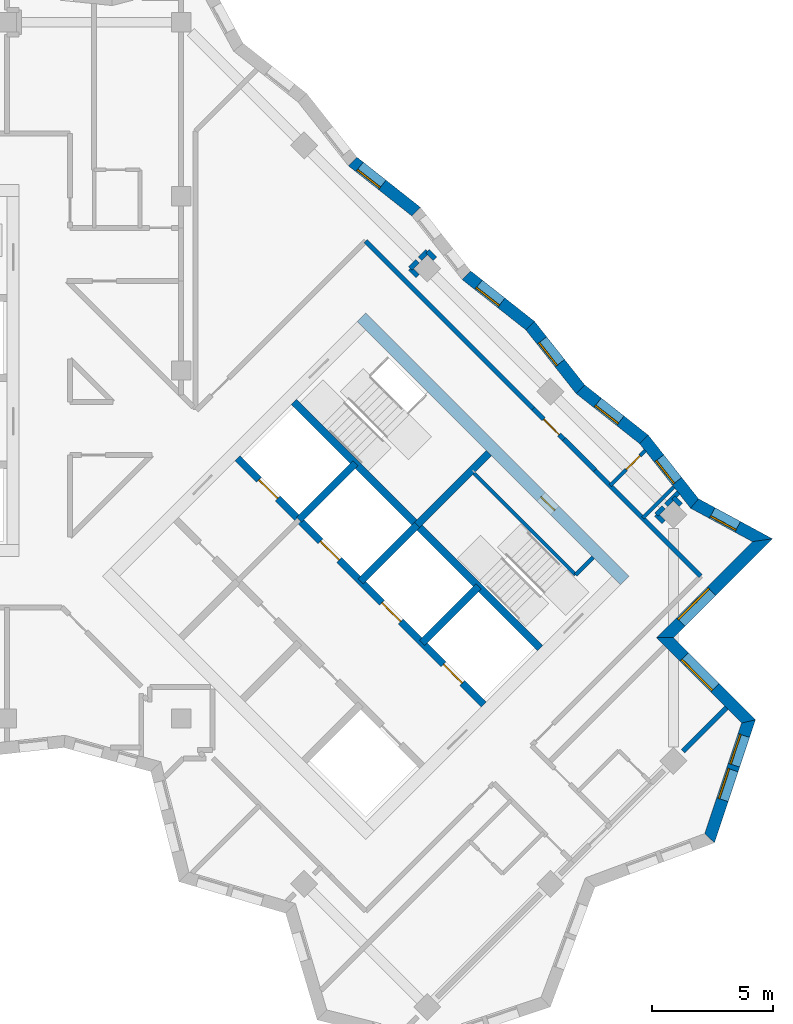
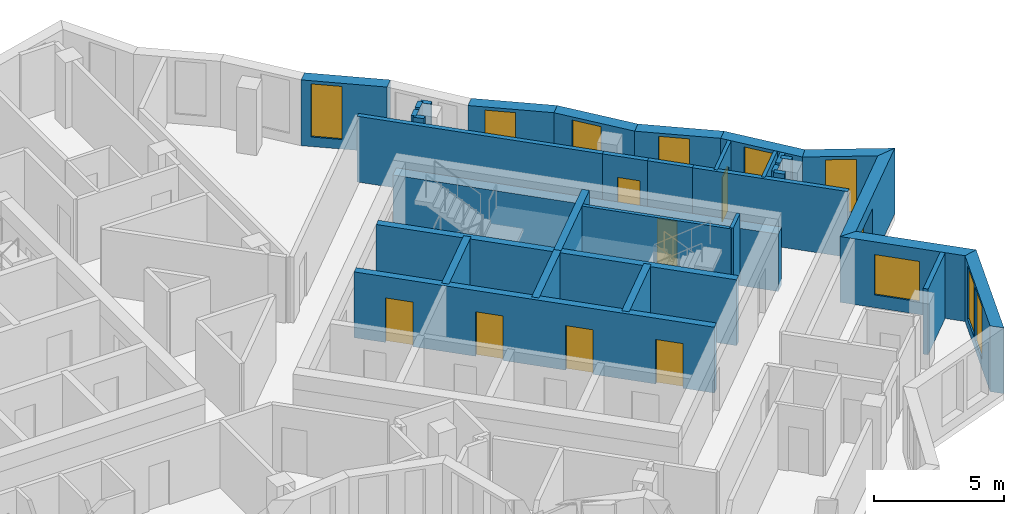
# One storey, part 9 of 12: 34 walls, 10 windows, 7 doors, 17 openings.
"""IFC4 building model written with IfcOpenShell, lengths in metres."""

from ifc_helpers import new_model, si_unit, direction, frame, frame_2d, origin, place, context, subcontext, project, spatial, polyline, rectangle, outline, extrude, material, layer, layer_set, type_object, element, fill, save


model = new_model("IFC4")

# Units and contexts
model_context = context("Model", 3, precision=1e-05, world=origin(), true_north=direction((0.0, 1.0)))
body_context = subcontext(model_context, "Body", "Model", "MODEL_VIEW")
ifc_project = project(units=[si_unit("LENGTHUNIT", "METRE"), si_unit("AREAUNIT", "SQUARE_METRE"), si_unit("VOLUMEUNIT", "CUBIC_METRE"), si_unit("PLANEANGLEUNIT", "RADIAN"), si_unit("MASSUNIT", "GRAM", prefix="KILO")], contexts=[model_context])

# Site, building, storey
site_placement = place(None, origin())
site = spatial("IfcSite", under=ifc_project, at=site_placement, CompositionType="ELEMENT")
building_placement = place(site_placement, origin())
building = spatial("IfcBuilding", under=site, at=building_placement, Name="Windrow Commons", CompositionType="ELEMENT")
storey_placement = place(building_placement, frame((0.0, 0.0, 199.8)))
storey = spatial("IfcBuildingStorey", under=building, at=storey_placement, Name="L54", CompositionType="ELEMENT", Elevation=199.8)

# Wall, openings, windows
ifc_material_1 = material(Name="Brick masonry, red clay brick", Category="masonry")
ifc_layer_1 = layer(ifc_material_1, 0.5)
ifc_layer_set_1 = layer_set([ifc_layer_1], Name="Brick facade wall 500")
wall_type_1 = type_object("IfcWallType", Name="Brick facade wall 500", PredefinedType="SOLIDWALL", material=ifc_layer_set_1)
wall_1_placement = place(storey_placement, frame((101.0624, 38.2515, 0.0), z_axis=(0.0, 0.0, 1.0), x_axis=(0.3162395484, 0.9486793705, 0.0)))
wall_1 = element("IfcWall", 1, at=wall_1_placement, inside=storey, type_object=wall_type_1, Name="Brick facade wall L54 4", PredefinedType="SOLIDWALL", context=body_context, shape_type="SweptSolid", body=[
    extrude(outline(polyline([(-0.1197, -0.25), (5.2468, -0.25), (4.9378, 0.25), (0.1197, 0.25), (-0.1197, -0.25)])), origin(), (0.0, 0.0, 1.0), 3.1),
])
opening_1_placement = place(wall_1_placement, frame((1.6796, 0.0, 0.45)))
opening_1 = element("IfcOpeningElement", 2, at=opening_1_placement, cuts=wall_1, Name="Opening W1Q", PredefinedType="OPENING", context=body_context, shape_type="SweptSolid", body=[
    extrude(rectangle(XDim=1.3, YDim=2.5, at=frame_2d((0.65, 1.25))), frame((0.0, 0.26, 0.0), z_axis=(0.0, -1.0, 0.0), x_axis=(1.0, 0.0, 0.0)), (0.0, 0.0, 1.0), 0.52),
])
opening_2_placement = place(wall_1_placement, frame((3.1796, 0.0, 0.45)))
opening_2 = element("IfcOpeningElement", 3, at=opening_2_placement, cuts=wall_1, Name="Opening W1Q", PredefinedType="OPENING", context=body_context, shape_type="SweptSolid", body=[
    extrude(rectangle(XDim=1.3, YDim=2.5, at=frame_2d((0.65, 1.25))), frame((0.0, 0.26, 0.0), z_axis=(0.0, -1.0, 0.0), x_axis=(1.0, 0.0, 0.0)), (0.0, 0.0, 1.0), 0.52),
])
ifc_material_2 = material(Name="Clear float glass in anodised aluminium frame", Category="aluminium")
window_type_1 = type_object("IfcWindowType", Name="Window W1Q pair 1300x2500", PartitioningType="SINGLE_PANEL", PredefinedType="WINDOW", material=ifc_material_2)
window_1_placement = place(opening_1_placement, origin())
window_1 = element("IfcWindow", 4, at=window_1_placement, inside=storey, type_object=window_type_1, Name="Window L54 4.1A", OverallHeight=2.5, OverallWidth=1.3, PartitioningType="SINGLE_PANEL", PredefinedType="WINDOW", context=body_context, shape_type="SweptSolid", body=[
    extrude(rectangle(XDim=1.3, YDim=2.5, at=frame_2d((0.65, 1.25))), frame((0.0, 0.18, 0.0), z_axis=(0.0, -1.0, 0.0), x_axis=(1.0, 0.0, 0.0)), (0.0, 0.0, 1.0), 0.06),
])
fill(opening_1, window_1)
window_2_placement = place(opening_2_placement, origin())
window_2 = element("IfcWindow", 5, at=window_2_placement, inside=storey, type_object=window_type_1, Name="Window L54 4.1B", OverallHeight=2.5, OverallWidth=1.3, PartitioningType="SINGLE_PANEL", PredefinedType="WINDOW", context=body_context, shape_type="SweptSolid", body=[
    extrude(rectangle(XDim=1.3, YDim=2.5, at=frame_2d((0.65, 1.25))), frame((0.0, 0.18, 0.0), z_axis=(0.0, -1.0, 0.0), x_axis=(1.0, 0.0, 0.0)), (0.0, 0.0, 1.0), 0.06),
])
fill(opening_2, window_2)

# Wall, opening, window
wall_2_placement = place(storey_placement, frame((102.6728, 43.0825, 0.0), z_axis=(0.0, 0.0, 1.0), x_axis=(-0.7071067812, 0.7071067812, 0.0)))
wall_2 = element("IfcWall", 6, at=wall_2_placement, inside=storey, type_object=wall_type_1, Name="Brick facade wall L54 5", PredefinedType="SOLIDWALL", context=body_context, shape_type="SweptSolid", body=[
    extrude(outline(polyline([(-0.1545, -0.25), (4.6455, -0.25), (5.1455, 0.25), (0.1545, 0.25), (-0.1545, -0.25)])), origin(), (0.0, 0.0, 1.0), 3.1),
])
opening_3_placement = place(wall_2_placement, frame((1.9705, 0.0, 0.6)))
opening_3 = element("IfcOpeningElement", 7, at=opening_3_placement, cuts=wall_2, Name="Opening W1L", PredefinedType="OPENING", context=body_context, shape_type="SweptSolid", body=[
    extrude(rectangle(XDim=1.8, YDim=1.9, at=frame_2d((0.9, 0.95))), frame((0.0, 0.26, 0.0), z_axis=(0.0, -1.0, 0.0), x_axis=(1.0, 0.0, 0.0)), (0.0, 0.0, 1.0), 0.52),
])
ifc_material_3 = material(Name="Clear float glass in anodised aluminium frame", Category="aluminium")
window_type_2 = type_object("IfcWindowType", Name="Window W1L bedroom 1800x1900", PartitioningType="SINGLE_PANEL", PredefinedType="WINDOW", material=ifc_material_3)
window_3_placement = place(opening_3_placement, origin())
window_3 = element("IfcWindow", 8, at=window_3_placement, inside=storey, type_object=window_type_2, Name="Window L54 5.1", OverallHeight=1.9, OverallWidth=1.8, PartitioningType="SINGLE_PANEL", PredefinedType="WINDOW", context=body_context, shape_type="SweptSolid", body=[
    extrude(rectangle(XDim=1.8, YDim=1.9, at=frame_2d((0.9, 0.95))), frame((0.0, 0.18, 0.0), z_axis=(0.0, -1.0, 0.0), x_axis=(1.0, 0.0, 0.0)), (0.0, 0.0, 1.0), 0.06),
])
fill(opening_3, window_3)

wall_3_placement = place(storey_placement, frame((99.2111, 46.5442, 0.0), z_axis=(0.0, 0.0, 1.0), x_axis=(0.7071067812, 0.7071067812, 0.0)))
wall_3 = element("IfcWall", 9, at=wall_3_placement, inside=storey, type_object=wall_type_1, Name="Brick facade wall L54 6", PredefinedType="SOLIDWALL", context=body_context, shape_type="SweptSolid", body=[
    extrude(outline(polyline([(0.25, -0.25), (6.041, -0.25), (5.3706, 0.25), (-0.25, 0.25), (0.25, -0.25)])), origin(), (0.0, 0.0, 1.0), 3.1),
])
opening_4_placement = place(wall_3_placement, frame((0.925, 0.0, 0.6)))
opening_4 = element("IfcOpeningElement", 10, at=opening_4_placement, cuts=wall_3, Name="Opening W1L", PredefinedType="OPENING", context=body_context, shape_type="SweptSolid", body=[
    extrude(rectangle(XDim=1.8, YDim=1.9, at=frame_2d((0.9, 0.95))), frame((0.0, 0.26, 0.0), z_axis=(0.0, -1.0, 0.0), x_axis=(1.0, 0.0, 0.0)), (0.0, 0.0, 1.0), 0.52),
])
window_4_placement = place(opening_4_placement, origin())
window_4 = element("IfcWindow", 11, at=window_4_placement, inside=storey, type_object=window_type_2, Name="Window L54 6.1", OverallHeight=1.9, OverallWidth=1.8, PartitioningType="SINGLE_PANEL", PredefinedType="WINDOW", context=body_context, shape_type="SweptSolid", body=[
    extrude(rectangle(XDim=1.8, YDim=1.9, at=frame_2d((0.9, 0.95))), frame((0.0, 0.18, 0.0), z_axis=(0.0, -1.0, 0.0), x_axis=(1.0, 0.0, 0.0)), (0.0, 0.0, 1.0), 0.06),
])
fill(opening_4, window_4)

wall_4_placement = place(storey_placement, frame((103.2457, 50.5788, 0.0), z_axis=(0.0, 0.0, 1.0), x_axis=(-0.8794013024, 0.4760812424, 0.0)))
wall_4 = element("IfcWall", 12, at=wall_4_placement, inside=storey, type_object=wall_type_1, Name="Brick facade wall L54 7", PredefinedType="SOLIDWALL", context=body_context, shape_type="SweptSolid", body=[
    extrude(outline(polyline([(-0.3352, -0.25), (3.1398, -0.25), (3.2428, 0.25), (0.3352, 0.25), (-0.3352, -0.25)])), origin(), (0.0, 0.0, 1.0), 3.1),
])
opening_5_placement = place(wall_4_placement, frame((1.1633, 0.0, 0.45)))
opening_5 = element("IfcOpeningElement", 13, at=opening_5_placement, cuts=wall_4, Name="Opening W7E", PredefinedType="OPENING", context=body_context, shape_type="SweptSolid", body=[
    extrude(rectangle(XDim=1.2, YDim=2.5, at=frame_2d((0.6, 1.25))), frame((0.0, 0.26, 0.0), z_axis=(0.0, -1.0, 0.0), x_axis=(1.0, 0.0, 0.0)), (0.0, 0.0, 1.0), 0.52),
])
ifc_material_4 = material(Name="Clear float glass in anodised aluminium frame", Category="aluminium")
window_type_3 = type_object("IfcWindowType", Name="Window W7 notch 1200x2500", PartitioningType="SINGLE_PANEL", PredefinedType="WINDOW", material=ifc_material_4)
window_5_placement = place(opening_5_placement, origin())
window_5 = element("IfcWindow", 14, at=window_5_placement, inside=storey, type_object=window_type_3, Name="Window L54 7.1", OverallHeight=2.5, OverallWidth=1.2, PartitioningType="SINGLE_PANEL", PredefinedType="WINDOW", context=body_context, shape_type="SweptSolid", body=[
    extrude(rectangle(XDim=1.2, YDim=2.5, at=frame_2d((0.6, 1.25))), frame((0.0, 0.18, 0.0), z_axis=(0.0, -1.0, 0.0), x_axis=(1.0, 0.0, 0.0)), (0.0, 0.0, 1.0), 0.06),
])
fill(opening_5, window_5)

wall_5_placement = place(storey_placement, frame((100.4393, 52.0981, 0.0), z_axis=(0.0, 0.0, 1.0), x_axis=(-0.6198277208, 0.7847379158, 0.0)))
wall_5 = element("IfcWall", 15, at=wall_5_placement, inside=storey, type_object=wall_type_1, Name="Brick facade wall L54 8", PredefinedType="SOLIDWALL", context=body_context, shape_type="SweptSolid", body=[
    extrude(outline(polyline([(0.0515, -0.25), (3.4051, -0.25), (3.3464, 0.25), (-0.0515, 0.25), (0.0515, -0.25)])), origin(), (0.0, 0.0, 1.0), 3.1),
])
opening_6_placement = place(wall_5_placement, frame((1.1732, 0.0, 0.45)))
opening_6 = element("IfcOpeningElement", 16, at=opening_6_placement, cuts=wall_5, Name="Opening W7E", PredefinedType="OPENING", context=body_context, shape_type="SweptSolid", body=[
    extrude(rectangle(XDim=1.2, YDim=2.5, at=frame_2d((0.6, 1.25))), frame((0.0, 0.26, 0.0), z_axis=(0.0, -1.0, 0.0), x_axis=(1.0, 0.0, 0.0)), (0.0, 0.0, 1.0), 0.52),
])
window_6_placement = place(opening_6_placement, origin())
window_6 = element("IfcWindow", 17, at=window_6_placement, inside=storey, type_object=window_type_3, Name="Window L54 8.1", OverallHeight=2.5, OverallWidth=1.2, PartitioningType="SINGLE_PANEL", PredefinedType="WINDOW", context=body_context, shape_type="SweptSolid", body=[
    extrude(rectangle(XDim=1.2, YDim=2.5, at=frame_2d((0.6, 1.25))), frame((0.0, 0.18, 0.0), z_axis=(0.0, -1.0, 0.0), x_axis=(1.0, 0.0, 0.0)), (0.0, 0.0, 1.0), 0.06),
])
fill(opening_6, window_6)

wall_6_placement = place(storey_placement, frame((98.3469, 54.7472, 0.0), z_axis=(0.0, 0.0, 1.0), x_axis=(-0.7847316147, 0.6198356984, 0.0)))
wall_6 = element("IfcWall", 18, at=wall_6_placement, inside=storey, type_object=wall_type_1, Name="Brick facade wall L54 9", PredefinedType="SOLIDWALL", context=body_context, shape_type="SweptSolid", body=[
    extrude(outline(polyline([(-0.0293, -0.25), (3.3243, -0.25), (3.383, 0.25), (0.0293, 0.25), (-0.0293, -0.25)])), origin(), (0.0, 0.0, 1.0), 3.1),
])
opening_7_placement = place(wall_6_placement, frame((1.2479, 0.0, 0.45)))
opening_7 = element("IfcOpeningElement", 19, at=opening_7_placement, cuts=wall_6, Name="Opening W7E", PredefinedType="OPENING", context=body_context, shape_type="SweptSolid", body=[
    extrude(rectangle(XDim=1.2, YDim=2.5, at=frame_2d((0.6, 1.25))), frame((0.0, 0.26, 0.0), z_axis=(0.0, -1.0, 0.0), x_axis=(1.0, 0.0, 0.0)), (0.0, 0.0, 1.0), 0.52),
])
window_7_placement = place(opening_7_placement, origin())
window_7 = element("IfcWindow", 20, at=window_7_placement, inside=storey, type_object=window_type_3, Name="Window L54 9.1", OverallHeight=2.5, OverallWidth=1.2, PartitioningType="SINGLE_PANEL", PredefinedType="WINDOW", context=body_context, shape_type="SweptSolid", body=[
    extrude(rectangle(XDim=1.2, YDim=2.5, at=frame_2d((0.6, 1.25))), frame((0.0, 0.18, 0.0), z_axis=(0.0, -1.0, 0.0), x_axis=(1.0, 0.0, 0.0)), (0.0, 0.0, 1.0), 0.06),
])
fill(opening_7, window_7)

wall_7_placement = place(storey_placement, frame((95.7152, 56.8259, 0.0), z_axis=(0.0, 0.0, 1.0), x_axis=(-0.6198356984, 0.7847316147, 0.0)))
wall_7 = element("IfcWall", 21, at=wall_7_placement, inside=storey, type_object=wall_type_1, Name="Brick facade wall L54 10", PredefinedType="SOLIDWALL", context=body_context, shape_type="SweptSolid", body=[
    extrude(outline(polyline([(0.0293, -0.25), (3.383, -0.25), (3.3243, 0.25), (-0.0293, 0.25), (0.0293, -0.25)])), origin(), (0.0, 0.0, 1.0), 3.1),
])
opening_8_placement = place(wall_7_placement, frame((1.3688, 0.0, 0.45)))
opening_8 = element("IfcOpeningElement", 22, at=opening_8_placement, cuts=wall_7, Name="Opening W7E", PredefinedType="OPENING", context=body_context, shape_type="SweptSolid", body=[
    extrude(rectangle(XDim=1.2, YDim=2.5, at=frame_2d((0.6, 1.25))), frame((0.0, 0.26, 0.0), z_axis=(0.0, -1.0, 0.0), x_axis=(1.0, 0.0, 0.0)), (0.0, 0.0, 1.0), 0.52),
])
window_8_placement = place(opening_8_placement, origin())
window_8 = element("IfcWindow", 23, at=window_8_placement, inside=storey, type_object=window_type_3, Name="Window L54 10.1", OverallHeight=2.5, OverallWidth=1.2, PartitioningType="SINGLE_PANEL", PredefinedType="WINDOW", context=body_context, shape_type="SweptSolid", body=[
    extrude(rectangle(XDim=1.2, YDim=2.5, at=frame_2d((0.6, 1.25))), frame((0.0, 0.18, 0.0), z_axis=(0.0, -1.0, 0.0), x_axis=(1.0, 0.0, 0.0)), (0.0, 0.0, 1.0), 0.06),
])
fill(opening_8, window_8)

wall_8_placement = place(storey_placement, frame((93.6365, 59.4576, 0.0), z_axis=(0.0, 0.0, 1.0), x_axis=(-0.7847316147, 0.6198356984, 0.0)))
wall_8 = element("IfcWall", 24, at=wall_8_placement, inside=storey, type_object=wall_type_1, Name="Brick facade wall L54 11", PredefinedType="SOLIDWALL", context=body_context, shape_type="SweptSolid", body=[
    extrude(outline(polyline([(-0.0293, -0.25), (3.3243, -0.25), (3.383, 0.25), (0.0293, 0.25), (-0.0293, -0.25)])), origin(), (0.0, 0.0, 1.0), 3.1),
])
opening_9_placement = place(wall_8_placement, frame((1.519, 0.0, 0.45)))
opening_9 = element("IfcOpeningElement", 25, at=opening_9_placement, cuts=wall_8, Name="Opening W7E", PredefinedType="OPENING", context=body_context, shape_type="SweptSolid", body=[
    extrude(rectangle(XDim=1.2, YDim=2.5, at=frame_2d((0.6, 1.25))), frame((0.0, 0.26, 0.0), z_axis=(0.0, -1.0, 0.0), x_axis=(1.0, 0.0, 0.0)), (0.0, 0.0, 1.0), 0.52),
])
window_9_placement = place(opening_9_placement, origin())
window_9 = element("IfcWindow", 26, at=window_9_placement, inside=storey, type_object=window_type_3, Name="Window L54 11.1", OverallHeight=2.5, OverallWidth=1.2, PartitioningType="SINGLE_PANEL", PredefinedType="WINDOW", context=body_context, shape_type="SweptSolid", body=[
    extrude(rectangle(XDim=1.2, YDim=2.5, at=frame_2d((0.6, 1.25))), frame((0.0, 0.18, 0.0), z_axis=(0.0, -1.0, 0.0), x_axis=(1.0, 0.0, 0.0)), (0.0, 0.0, 1.0), 0.06),
])
fill(opening_9, window_9)

wall_9_placement = place(storey_placement, frame((88.9261, 64.168, 0.0), z_axis=(0.0, 0.0, 1.0), x_axis=(-0.7847316147, 0.6198356984, 0.0)))
wall_9 = element("IfcWall", 27, at=wall_9_placement, inside=storey, type_object=wall_type_1, Name="Brick facade wall L54 13", PredefinedType="SOLIDWALL", context=body_context, shape_type="SweptSolid", body=[
    extrude(outline(polyline([(-0.0293, -0.25), (3.3243, -0.25), (3.383, 0.25), (0.0293, 0.25), (-0.0293, -0.25)])), origin(), (0.0, 0.0, 1.0), 3.1),
])
opening_10_placement = place(wall_9_placement, frame((1.7901, 0.0, 0.45)))
opening_10 = element("IfcOpeningElement", 28, at=opening_10_placement, cuts=wall_9, Name="Opening W7E", PredefinedType="OPENING", context=body_context, shape_type="SweptSolid", body=[
    extrude(rectangle(XDim=1.2, YDim=2.5, at=frame_2d((0.6, 1.25))), frame((0.0, 0.26, 0.0), z_axis=(0.0, -1.0, 0.0), x_axis=(1.0, 0.0, 0.0)), (0.0, 0.0, 1.0), 0.52),
])
window_10_placement = place(opening_10_placement, origin())
window_10 = element("IfcWindow", 29, at=window_10_placement, inside=storey, type_object=window_type_3, Name="Window L54 13.1", OverallHeight=2.5, OverallWidth=1.2, PartitioningType="SINGLE_PANEL", PredefinedType="WINDOW", context=body_context, shape_type="SweptSolid", body=[
    extrude(rectangle(XDim=1.2, YDim=2.5, at=frame_2d((0.6, 1.25))), frame((0.0, 0.18, 0.0), z_axis=(0.0, -1.0, 0.0), x_axis=(1.0, 0.0, 0.0)), (0.0, 0.0, 1.0), 0.06),
])
fill(opening_10, window_10)

# Walls
ifc_material_5 = material(Name="Blockwork partition", Category="masonry")
ifc_layer_2 = layer(ifc_material_5, 0.2)
ifc_layer_set_2 = layer_set([ifc_layer_2], Name="IW-CORRIDOR-200")
wall_type_2 = type_object("IfcWallType", Name="IW-CORRIDOR-200", PredefinedType="PARTITIONING", material=ifc_layer_set_2)
wall_10_placement = place(storey_placement, frame((86.8347, 62.9447, 0.0), z_axis=(0.0, 0.0, 1.0), x_axis=(0.7071067812, -0.7071067812, 0.0)))
element("IfcWall", 30, at=wall_10_placement, inside=storey, type_object=wall_type_2, Name="W-L54-W011", PredefinedType="PARTITIONING", context=body_context, shape_type="SweptSolid", body=[
    extrude(rectangle(XDim=9.7977, YDim=0.2, at=frame_2d((4.8989, 0.0))), origin(), (0.0, 0.0, 1.0), 3.1),
])
wall_11_placement = place(storey_placement, frame((96.3087, 53.4707, 0.0), z_axis=(0.0, 0.0, 1.0), x_axis=(0.7071067812, -0.7071067812, 0.0)))
element("IfcWall", 31, at=wall_11_placement, inside=storey, type_object=wall_type_2, Name="W-L54-W025", PredefinedType="PARTITIONING", context=body_context, shape_type="SweptSolid", body=[
    extrude(rectangle(XDim=6.1999, YDim=0.2, at=frame_2d((3.1, 0.0))), origin(), (0.0, 0.0, 1.0), 3.1),
])

# Wall, opening, door
wall_12_placement = place(storey_placement, frame((93.7634, 56.0174, 0.0), z_axis=(0.0, 0.0, 1.0), x_axis=(0.7076620277, -0.7065510983, 0.0)))
wall_12 = element("IfcWall", 32, at=wall_12_placement, inside=storey, type_object=wall_type_2, Name="W-L54-W115", PredefinedType="PARTITIONING", context=body_context, shape_type="SweptSolid", body=[
    extrude(rectangle(XDim=1.8003, YDim=0.2, at=frame_2d((0.9002, 0.0))), origin(), (0.0, 0.0, 1.0), 3.1),
])
opening_11_placement = place(wall_12_placement, frame((0.6118, 0.0, 0.0)))
opening_11 = element("IfcOpeningElement", 33, at=opening_11_placement, cuts=wall_12, Name="Opening D109F", PredefinedType="OPENING", context=body_context, shape_type="SweptSolid", body=[
    extrude(rectangle(XDim=0.9, YDim=2.1, at=frame_2d((0.45, 1.05))), frame((0.0, 0.11, 0.0), z_axis=(0.0, -1.0, 0.0), x_axis=(1.0, 0.0, 0.0)), (0.0, 0.0, 1.0), 0.22),
])
ifc_material_6 = material(Name="Timber door leaf", Category="wood")
door_type_1 = type_object("IfcDoorType", Name="DT-BEDROOM-900", OperationType="SINGLE_SWING_LEFT", PredefinedType="DOOR", material=ifc_material_6)
door_1_placement = place(opening_11_placement, origin())
door_1 = element("IfcDoor", 34, at=door_1_placement, inside=storey, type_object=door_type_1, Name="D-L54-D044", OperationType="SINGLE_SWING_LEFT", OverallHeight=2.1, OverallWidth=0.9, PredefinedType="DOOR", context=body_context, shape_type="SweptSolid", body=[
    extrude(rectangle(XDim=0.9, YDim=2.1, at=frame_2d((0.45, 1.05))), frame((0.0, 0.025, 0.0), z_axis=(0.0, -1.0, 0.0), x_axis=(1.0, 0.0, 0.0)), (0.0, 0.0, 1.0), 0.05),
])
fill(opening_11, door_1)

# Wall
wall_13_placement = place(storey_placement, frame((95.0411, 54.7491, 0.0), z_axis=(0.0, 0.0, 1.0), x_axis=(0.7065510983, -0.7076620277, 0.0)))
element("IfcWall", 35, at=wall_13_placement, inside=storey, type_object=wall_type_2, Name="W-L54-W116", PredefinedType="PARTITIONING", context=body_context, shape_type="SweptSolid", body=[
    extrude(rectangle(XDim=1.8003, YDim=0.2, at=frame_2d((0.9002, 0.0))), origin(), (0.0, 0.0, 1.0), 3.1),
])

# Wall, opening, door
ifc_material_7 = material(Name="Blockwork partition", Category="masonry")
ifc_layer_3 = layer(ifc_material_7, 0.15)
ifc_layer_set_3 = layer_set([ifc_layer_3], Name="IW-ENSUITE-150")
wall_type_3 = type_object("IfcWallType", Name="IW-ENSUITE-150", PredefinedType="PARTITIONING", material=ifc_layer_set_3)
wall_14_placement = place(storey_placement, frame((96.9477, 52.8383, 0.0), z_axis=(0.0, 0.0, 1.0), x_axis=(0.7070823329, 0.7071312287, 0.0)))
wall_14 = element("IfcWall", 36, at=wall_14_placement, inside=storey, type_object=wall_type_3, Name="W-L54-W100", PredefinedType="PARTITIONING", context=body_context, shape_type="SweptSolid", body=[
    extrude(rectangle(XDim=2.0452, YDim=0.15, at=frame_2d((1.0226, 0.0))), origin(), (0.0, 0.0, 1.0), 3.1),
])
opening_12_placement = place(wall_14_placement, frame((0.9426, 0.0, 0.0)))
opening_12 = element("IfcOpeningElement", 37, at=opening_12_placement, cuts=wall_14, Name="Opening D208N", PredefinedType="OPENING", context=body_context, shape_type="SweptSolid", body=[
    extrude(rectangle(XDim=0.8, YDim=2.1, at=frame_2d((0.4, 1.05))), frame((0.0, 0.085, 0.0), z_axis=(0.0, -1.0, 0.0), x_axis=(1.0, 0.0, 0.0)), (0.0, 0.0, 1.0), 0.17),
])
ifc_material_8 = material(Name="Timber door leaf", Category="wood")
door_type_2 = type_object("IfcDoorType", Name="DT-ENSUITE-800", OperationType="SINGLE_SWING_LEFT", PredefinedType="DOOR", material=ifc_material_8)
door_2_placement = place(opening_12_placement, origin())
door_2 = element("IfcDoor", 38, at=door_2_placement, inside=storey, type_object=door_type_2, Name="D-L54-D045", OperationType="SINGLE_SWING_RIGHT", OverallHeight=2.1, OverallWidth=0.8, PredefinedType="DOOR", context=body_context, shape_type="SweptSolid", body=[
    extrude(rectangle(XDim=0.8, YDim=2.1, at=frame_2d((0.4, 1.05))), frame((0.0, 0.025, 0.0), z_axis=(0.0, -1.0, 0.0), x_axis=(1.0, 0.0, 0.0)), (0.0, 0.0, 1.0), 0.05),
])
fill(opening_12, door_2)

# Walls
wall_15_placement = place(storey_placement, frame((98.2912, 51.4948, 0.0), z_axis=(0.0, 0.0, 1.0), x_axis=(0.7070793404, 0.7071342209, 0.0)))
element("IfcWall", 39, at=wall_15_placement, inside=storey, type_object=wall_type_3, Name="W-L54-W121", PredefinedType="PARTITIONING", context=body_context, shape_type="SweptSolid", body=[
    extrude(rectangle(XDim=1.8221, YDim=0.15, at=frame_2d((0.9111, 0.0))), origin(), (0.0, 0.0, 1.0), 3.1),
])
ifc_material_9 = material(Name="Blockwork partition", Category="masonry")
ifc_layer_4 = layer(ifc_material_9, 0.2)
ifc_layer_set_4 = layer_set([ifc_layer_4], Name="IW-PARTY-200")
wall_type_4 = type_object("IfcWallType", Name="IW-PARTY-200", PredefinedType="PARTITIONING", material=ifc_layer_set_4)
wall_16_placement = place(storey_placement, frame((99.964, 41.854, 0.0), z_axis=(0.0, 0.0, 1.0), x_axis=(0.7071265121, 0.7070870497, 0.0)))
element("IfcWall", 40, at=wall_16_placement, inside=storey, type_object=wall_type_4, Name="W-L54-W059", PredefinedType="PARTITIONING", context=body_context, shape_type="SweptSolid", body=[
    extrude(rectangle(XDim=2.5341, YDim=0.2, at=frame_2d((1.2671, 0.0))), origin(), (0.0, 0.0, 1.0), 3.1),
])
wall_17_placement = place(storey_placement, frame((89.3876, 62.5296, 0.0), z_axis=(0.0, 0.0, 1.0), x_axis=(0.7093767693, -0.7048294823, 0.0)))
element("IfcWall", 41, at=wall_17_placement, inside=storey, type_object=wall_type_4, Name="W-L54-W164", PredefinedType="PARTITIONING", context=body_context, shape_type="SweptSolid", body=[
    extrude(rectangle(XDim=0.4398, YDim=0.2, at=frame_2d((0.2199, 0.0))), origin(), (0.0, 0.0, 1.0), 3.1),
])
for number, where, z_axis, x_axis, name in (
    (42, (98.8533, 51.6327, 0.0), (0.0, 0.0, 1.0), (0.7071067812, 0.7071067812, 0.0), "W-L54-W165"),
    (43, (88.671, 61.815, 0.0), (0.0, 0.0, 1.0), (0.7071067812, 0.7071067812, 0.0), "W-L54-W166"),
    (44, (88.6722, 61.8142, 0.0), (0.0, 0.0, 1.0), (0.7071067812, -0.7071067812, 0.0), "W-L54-W167"),
    (45, (98.8542, 51.6322, 0.0), (0.0, 0.0, 1.0), (0.7071067812, -0.7071067812, 0.0), "W-L54-W168"),
    (46, (99.5684, 52.3464, 0.0), (0.0, 0.0, 1.0), (0.7071067812, -0.7071067812, 0.0), "W-L54-W169"),
    (47, (89.075, 62.219, 0.0), (0.0, 0.0, 1.0), (0.7071067812, 0.7071067812, 0.0), "W-L54-W170"),
):
    element("IfcWall", number, at=place(storey_placement, frame(where, z_axis=z_axis, x_axis=x_axis)), inside=storey, type_object=wall_type_4, Name=name, PredefinedType="PARTITIONING", context=body_context, shape_type="SweptSolid", body=[
        extrude(rectangle(XDim=0.4384, YDim=0.2, at=frame_2d((0.2192, 0.0))), origin(), (0.0, 0.0, 1.0), 3.1),
    ])
wall_18_placement = place(storey_placement, frame((99.2573, 52.0367, 0.0), z_axis=(0.0, 0.0, 1.0), x_axis=(0.7071067812, 0.7071067812, 0.0)))
element("IfcWall", 48, at=wall_18_placement, inside=storey, type_object=wall_type_4, Name="W-L54-W171", PredefinedType="PARTITIONING", context=body_context, shape_type="SweptSolid", body=[
    extrude(rectangle(XDim=0.7205, YDim=0.2, at=frame_2d((0.3603, 0.0))), origin(), (0.0, 0.0, 1.0), 3.1),
])

# Wall, opening, door
ifc_material_10 = material(Name="Concrete C40/50", Category="concrete")
ifc_layer_5 = layer(ifc_material_10, 0.5)
ifc_layer_set_5 = layer_set([ifc_layer_5], Name="RC CORE WALL 500 C40/50")
wall_type_5 = type_object("IfcWallType", Name="RC CORE WALL 500 C40/50", PredefinedType="SHEAR", material=ifc_layer_set_5)
wall_19_placement = place(storey_placement, frame((86.66, 59.8024, -0.3), z_axis=(0.0, 0.0, 1.0), x_axis=(0.7071067812, -0.7071067812, 0.0)))
wall_19 = element("IfcWall", 49, at=wall_19_placement, inside=storey, type_object=wall_type_5, Name="Core B wall outer-N", PredefinedType="SHEAR", context=body_context, shape_type="SweptSolid", body=[
    extrude(rectangle(XDim=15.3999, YDim=0.5, at=frame_2d((7.7, 0.0))), origin(), (0.0, 0.0, 1.0), 2.7),
])
opening_13_placement = place(wall_19_placement, frame((10.5, 0.0, 0.3)))
opening_13 = element("IfcOpeningElement", 50, at=opening_13_placement, cuts=wall_19, Name="Opening D9", PredefinedType="OPENING", context=body_context, shape_type="SweptSolid", body=[
    extrude(rectangle(XDim=0.8, YDim=2.1, at=frame_2d((0.4, 1.05))), frame((0.0, 0.26, 0.0), z_axis=(0.0, -1.0, 0.0), x_axis=(1.0, 0.0, 0.0)), (0.0, 0.0, 1.0), 0.52),
])
ifc_material_11 = material(Name="Steel fire door leaf", Category="steel")
door_type_3 = type_object("IfcDoorType", Name="Riser access door 800", OperationType="SINGLE_SWING_LEFT", PredefinedType="DOOR", material=ifc_material_11)
door_3_placement = place(opening_13_placement, origin())
door_3 = element("IfcDoor", 51, at=door_3_placement, inside=storey, type_object=door_type_3, Name="Riser access door", OperationType="SINGLE_SWING_RIGHT", OverallHeight=2.1, OverallWidth=0.8, PredefinedType="DOOR", context=body_context, shape_type="SweptSolid", body=[
    extrude(rectangle(XDim=0.8, YDim=2.1, at=frame_2d((0.4, 1.05))), frame((0.0, 0.025, 0.0), z_axis=(0.0, -1.0, 0.0), x_axis=(1.0, 0.0, 0.0)), (0.0, 0.0, 1.0), 0.05),
])
fill(opening_13, door_3)

# Walls
ifc_material_12 = material(Name="Concrete C40/50", Category="concrete")
ifc_layer_6 = layer(ifc_material_12, 0.3)
ifc_layer_set_6 = layer_set([ifc_layer_6], Name="RC SHAFT WALL 300 C40/50")
wall_type_6 = type_object("IfcWallType", Name="RC SHAFT WALL 300 C40/50", PredefinedType="SOLIDWALL", material=ifc_layer_set_6)
wall_20_placement = place(storey_placement, frame((84.079, 51.4232, 0.0), z_axis=(0.0, 0.0, 1.0), x_axis=(0.7071219326, 0.7070916295, 0.0)))
element("IfcWall", 52, at=wall_20_placement, inside=storey, type_object=wall_type_6, Name="Core B wall shaft-N1", PredefinedType="SOLIDWALL", context=body_context, shape_type="SweptSolid", body=[
    extrude(rectangle(XDim=3.3, YDim=0.3, at=frame_2d((1.65, 0.0))), origin(), (0.0, 0.0, 1.0), 3.1),
])
for number, where, z_axis, x_axis, name in (
    (53, (86.6246, 48.8776, 0.0), (0.0, 0.0, 1.0), (0.7071067812, 0.7071067812, 0.0), "Core B wall shaft-N2"),
    (54, (89.1702, 46.332, 0.0), (0.0, 0.0, 1.0), (0.7071067812, 0.7071067812, 0.0), "Core B wall shaft-N3"),
):
    element("IfcWall", number, at=place(storey_placement, frame(where, z_axis=z_axis, x_axis=x_axis)), inside=storey, type_object=wall_type_6, Name=name, PredefinedType="SOLIDWALL", context=body_context, shape_type="SweptSolid", body=[
        extrude(rectangle(XDim=3.3001, YDim=0.3, at=frame_2d((1.6501, 0.0))), origin(), (0.0, 0.0, 1.0), 3.1),
    ])

# Wall, openings, doors
wall_21_placement = place(storey_placement, frame((81.5335, 53.9688, 0.0), z_axis=(0.0, 0.0, 1.0), x_axis=(0.707103309, -0.7071102534, 0.0)))
wall_21 = element("IfcWall", 55, at=wall_21_placement, inside=storey, type_object=wall_type_6, Name="Core B wall lobby-N", PredefinedType="SOLIDWALL", context=body_context, shape_type="SweptSolid", body=[
    extrude(rectangle(XDim=14.4, YDim=0.3, at=frame_2d((7.2, 0.0))), origin(), (0.0, 0.0, 1.0), 3.1),
])
opening_14_placement = place(wall_21_placement, frame((1.25, 0.0, 0.0)))
opening_14 = element("IfcOpeningElement", 56, at=opening_14_placement, cuts=wall_21, Name="Opening LD", PredefinedType="OPENING", context=body_context, shape_type="SweptSolid", body=[
    extrude(rectangle(XDim=1.1, YDim=2.1, at=frame_2d((0.55, 1.05))), frame((0.0, 0.16, 0.0), z_axis=(0.0, -1.0, 0.0), x_axis=(1.0, 0.0, 0.0)), (0.0, 0.0, 1.0), 0.32),
])
opening_15_placement = place(wall_21_placement, frame((4.85, 0.0, 0.0)))
opening_15 = element("IfcOpeningElement", 57, at=opening_15_placement, cuts=wall_21, Name="Opening LD", PredefinedType="OPENING", context=body_context, shape_type="SweptSolid", body=[
    extrude(rectangle(XDim=1.1, YDim=2.1, at=frame_2d((0.55, 1.05))), frame((0.0, 0.16, 0.0), z_axis=(0.0, -1.0, 0.0), x_axis=(1.0, 0.0, 0.0)), (0.0, 0.0, 1.0), 0.32),
])
opening_16_placement = place(wall_21_placement, frame((8.45, 0.0, 0.0)))
opening_16 = element("IfcOpeningElement", 58, at=opening_16_placement, cuts=wall_21, Name="Opening LD", PredefinedType="OPENING", context=body_context, shape_type="SweptSolid", body=[
    extrude(rectangle(XDim=1.1, YDim=2.1, at=frame_2d((0.55, 1.05))), frame((0.0, 0.16, 0.0), z_axis=(0.0, -1.0, 0.0), x_axis=(1.0, 0.0, 0.0)), (0.0, 0.0, 1.0), 0.32),
])
opening_17_placement = place(wall_21_placement, frame((12.05, 0.0, 0.0)))
opening_17 = element("IfcOpeningElement", 59, at=opening_17_placement, cuts=wall_21, Name="Opening LD", PredefinedType="OPENING", context=body_context, shape_type="SweptSolid", body=[
    extrude(rectangle(XDim=1.1, YDim=2.1, at=frame_2d((0.55, 1.05))), frame((0.0, 0.16, 0.0), z_axis=(0.0, -1.0, 0.0), x_axis=(1.0, 0.0, 0.0)), (0.0, 0.0, 1.0), 0.32),
])
ifc_material_13 = material(Name="Stainless steel door leaf", Category="steel")
door_type_4 = type_object("IfcDoorType", Name="Lift landing door 1100", OperationType="SLIDING_TO_LEFT", PredefinedType="DOOR", material=ifc_material_13)
door_4_placement = place(opening_14_placement, origin())
door_4 = element("IfcDoor", 60, at=door_4_placement, inside=storey, type_object=door_type_4, Name="Lift landing door", OperationType="SLIDING_TO_LEFT", OverallHeight=2.1, OverallWidth=1.1, PredefinedType="DOOR", context=body_context, shape_type="SweptSolid", body=[
    extrude(rectangle(XDim=1.1, YDim=2.1, at=frame_2d((0.55, 1.05))), frame((0.0, 0.025, 0.0), z_axis=(0.0, -1.0, 0.0), x_axis=(1.0, 0.0, 0.0)), (0.0, 0.0, 1.0), 0.05),
])
fill(opening_14, door_4)
door_5_placement = place(opening_15_placement, origin())
door_5 = element("IfcDoor", 61, at=door_5_placement, inside=storey, type_object=door_type_4, Name="Lift landing door", OperationType="SLIDING_TO_RIGHT", OverallHeight=2.1, OverallWidth=1.1, PredefinedType="DOOR", context=body_context, shape_type="SweptSolid", body=[
    extrude(rectangle(XDim=1.1, YDim=2.1, at=frame_2d((0.55, 1.05))), frame((0.0, 0.025, 0.0), z_axis=(0.0, -1.0, 0.0), x_axis=(1.0, 0.0, 0.0)), (0.0, 0.0, 1.0), 0.05),
])
fill(opening_15, door_5)
door_6_placement = place(opening_16_placement, origin())
door_6 = element("IfcDoor", 62, at=door_6_placement, inside=storey, type_object=door_type_4, Name="Lift landing door", OperationType="SLIDING_TO_LEFT", OverallHeight=2.1, OverallWidth=1.1, PredefinedType="DOOR", context=body_context, shape_type="SweptSolid", body=[
    extrude(rectangle(XDim=1.1, YDim=2.1, at=frame_2d((0.55, 1.05))), frame((0.0, 0.025, 0.0), z_axis=(0.0, -1.0, 0.0), x_axis=(1.0, 0.0, 0.0)), (0.0, 0.0, 1.0), 0.05),
])
fill(opening_16, door_6)
door_7_placement = place(opening_17_placement, origin())
door_7 = element("IfcDoor", 63, at=door_7_placement, inside=storey, type_object=door_type_4, Name="Lift landing door", OperationType="SLIDING_TO_RIGHT", OverallHeight=2.1, OverallWidth=1.1, PredefinedType="DOOR", context=body_context, shape_type="SweptSolid", body=[
    extrude(rectangle(XDim=1.1, YDim=2.1, at=frame_2d((0.55, 1.05))), frame((0.0, 0.025, 0.0), z_axis=(0.0, -1.0, 0.0), x_axis=(1.0, 0.0, 0.0)), (0.0, 0.0, 1.0), 0.05),
])
fill(opening_17, door_7)

# Walls
for number, where, z_axis, x_axis, name in (
    (64, (83.8669, 56.3022, 0.0), (0.0, 0.0, 1.0), (0.7071137256, -0.7070998367, 0.0), "Core B wall stair-S"),
    (65, (88.9581, 51.2111, 0.0), (0.0, 0.0, 1.0), (0.7070998367, -0.7071137256, 0.0), "Core B wall stair-S2"),
):
    element("IfcWall", number, at=place(storey_placement, frame(where, z_axis=z_axis, x_axis=x_axis)), inside=storey, type_object=wall_type_6, Name=name, PredefinedType="SOLIDWALL", context=body_context, shape_type="SweptSolid", body=[
        extrude(rectangle(XDim=7.2, YDim=0.3, at=frame_2d((3.6, 0.0))), origin(), (0.0, 0.0, 1.0), 3.1),
    ])
wall_22_placement = place(storey_placement, frame((88.9581, 51.2111, 0.0), z_axis=(0.0, 0.0, 1.0), x_axis=(0.7071067812, 0.7071067812, 0.0)))
element("IfcWall", 66, at=wall_22_placement, inside=storey, type_object=wall_type_6, Name="Core B wall stair-mid", PredefinedType="SOLIDWALL", context=body_context, shape_type="SweptSolid", body=[
    extrude(rectangle(XDim=4.1999, YDim=0.3, at=frame_2d((2.1, 0.0))), origin(), (0.0, 0.0, 1.0), 3.1),
])
ifc_material_14 = material(Name="Blockwork partition", Category="masonry")
ifc_layer_7 = layer(ifc_material_14, 0.15)
ifc_layer_set_7 = layer_set([ifc_layer_7], Name="Riser partition 150")
wall_type_7 = type_object("IfcWallType", Name="Riser partition 150", PredefinedType="PARTITIONING", material=ifc_layer_set_7)
wall_23_placement = place(storey_placement, frame((91.3127, 53.3536, 0.0), z_axis=(0.0, 0.0, 1.0), x_axis=(0.7071067812, -0.7071067812, 0.0)))
element("IfcWall", 67, at=wall_23_placement, inside=storey, type_object=wall_type_7, Name="W-core-strip-B-L54", PredefinedType="PARTITIONING", context=body_context, shape_type="SweptSolid", body=[
    extrude(rectangle(XDim=5.95, YDim=0.15, at=frame_2d((2.975, 0.0))), origin(), (0.0, 0.0, 1.0), 3.1),
])
wall_24_placement = place(storey_placement, frame((95.52, 49.1463, 0.0), z_axis=(0.0, 0.0, 1.0), x_axis=(0.7071067812, 0.7071067812, 0.0)))
element("IfcWall", 68, at=wall_24_placement, inside=storey, type_object=wall_type_7, Name="W-core-stripx-B-L54-1", PredefinedType="PARTITIONING", context=body_context, shape_type="SweptSolid", body=[
    extrude(rectangle(XDim=1.0201, YDim=0.15, at=frame_2d((0.5101, 0.0))), origin(), (0.0, 0.0, 1.0), 3.1),
])

save(model, "model.ifc")
